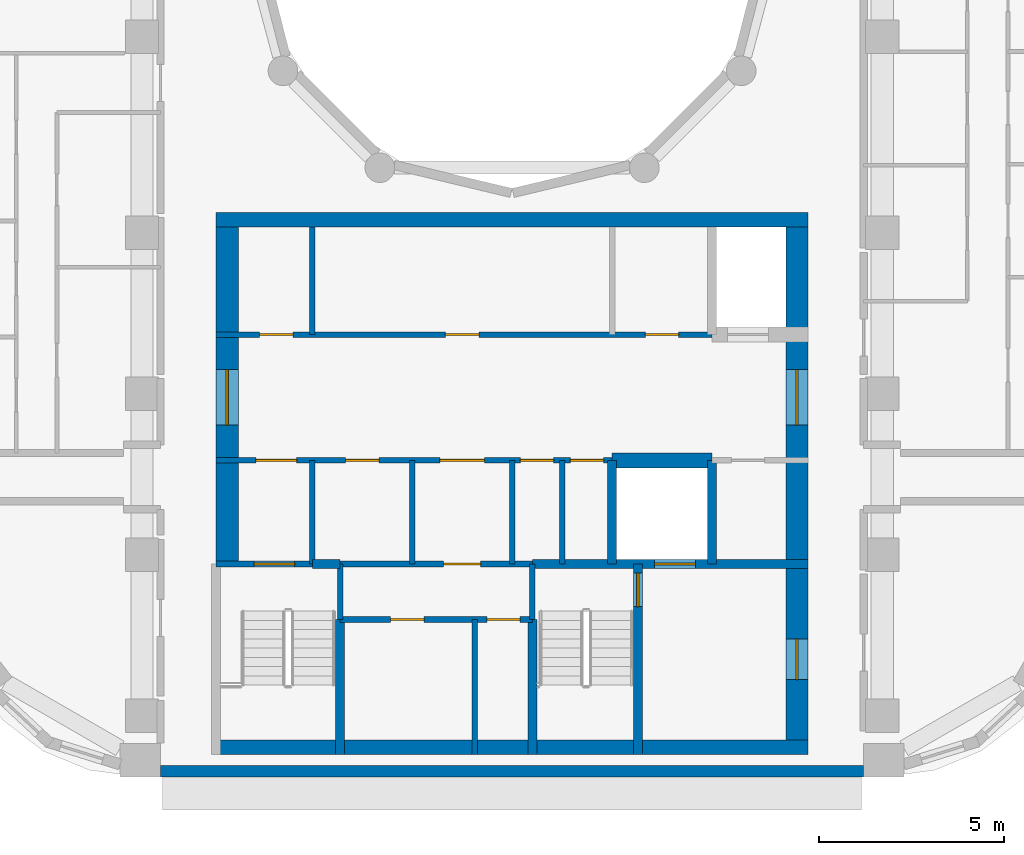
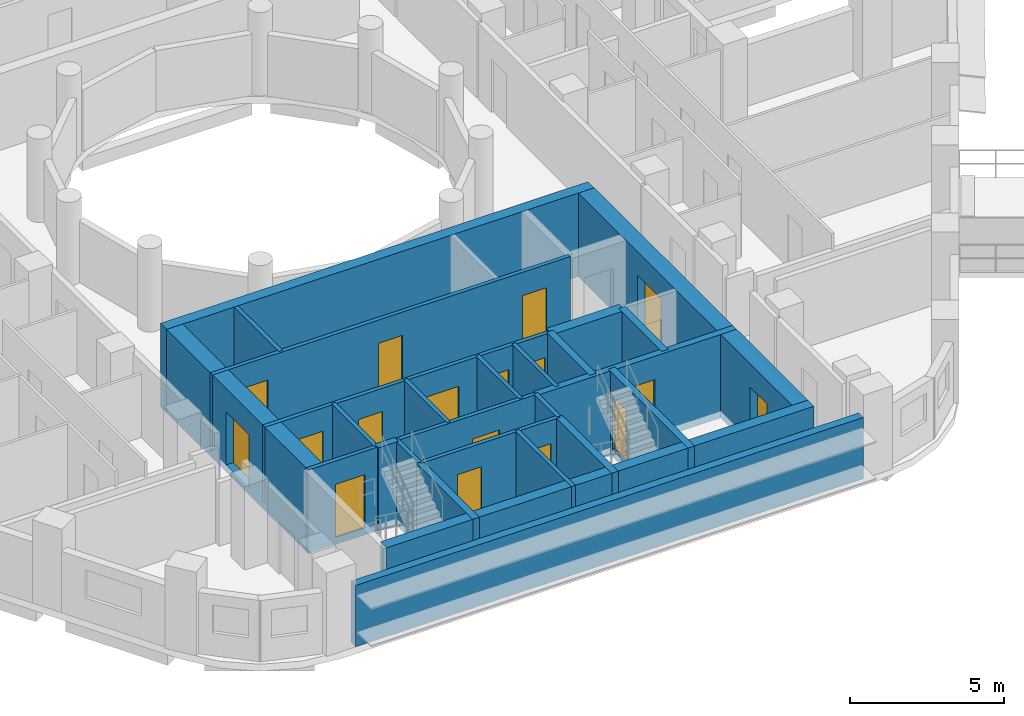
# One storey, part 3 of 12: 26 walls, 17 doors, 17 openings.
"""IFC4 building model written with IfcOpenShell, lengths in metres."""

from ifc_helpers import new_model, si_unit, direction, frame, frame_2d, origin, place, context, subcontext, project, spatial, rectangle, extrude, material, layer, layer_set, type_object, element, fill, save


model = new_model("IFC4")

# Units and contexts
model_context = context("Model", 3, precision=1e-05, world=origin(), true_north=direction((0.0, 1.0)))
body_context = subcontext(model_context, "Body", "Model", "MODEL_VIEW")
ifc_project = project(units=[si_unit("LENGTHUNIT", "METRE"), si_unit("AREAUNIT", "SQUARE_METRE"), si_unit("VOLUMEUNIT", "CUBIC_METRE"), si_unit("PLANEANGLEUNIT", "RADIAN"), si_unit("MASSUNIT", "GRAM", prefix="KILO")], contexts=[model_context])

# Site, building, storey
site_placement = place(None, origin())
site = spatial("IfcSite", under=ifc_project, at=site_placement, CompositionType="ELEMENT")
building_placement = place(site_placement, origin())
building = spatial("IfcBuilding", under=site, at=building_placement, Name="Nakaniwa Court", CompositionType="ELEMENT")
storey_placement = place(building_placement, frame((0.0, 0.0, 232.800048828125)))
storey = spatial("IfcBuildingStorey", under=building, at=storey_placement, Name="L60", CompositionType="ELEMENT", Elevation=232.800048828125)

# Walls
ifc_material_1 = material(Name="Charcoal ceramic cladding")
ifc_layer_1 = layer(ifc_material_1, 0.02, Name="Ceramic cladding")
ifc_material_2 = material(Name="Ventilated air cavity")
ifc_layer_2 = layer(ifc_material_2, 0.04, ventilated=True, Name="Ventilated cavity")
ifc_material_3 = material(Name="Mineral wool insulation")
ifc_layer_3 = layer(ifc_material_3, 0.1, Name="Insulation")
ifc_material_4 = material(Name="Cement bonded sheathing board")
ifc_layer_4 = layer(ifc_material_4, 0.012, Name="Sheathing")
ifc_material_5 = material(Name="Cold-formed galvanised stud frame with mineral wool infill")
ifc_layer_5 = layer(ifc_material_5, 0.1, Name="Stud frame")
ifc_material_6 = material(Name="Fire-rated gypsum plasterboard lining")
ifc_layer_6 = layer(ifc_material_6, 0.028, Name="Lining")
ifc_layer_set_1 = layer_set([ifc_layer_1, ifc_layer_2, ifc_layer_3, ifc_layer_4, ifc_layer_5, ifc_layer_6], Name="Charcoal ceramic faced external wall system")
wall_type_1 = type_object("IfcWallType", Name="Black ceramic faced external wall 300", PredefinedType="SOLIDWALL", material=ifc_layer_set_1)
wall_1_placement = place(storey_placement, frame((70.500732421875, 57.5, 0.0), z_axis=(0.0, 0.0, 1.0), x_axis=(1.0, 0.0, 0.0)))
element("IfcWall", 1, at=wall_1_placement, inside=storey, type_object=wall_type_1, Name="L60 external wall 26", PredefinedType="SOLIDWALL", context=body_context, shape_type="SweptSolid", body=[
    extrude(rectangle(XDim=18.99267578125, YDim=0.300048828125, at=frame_2d((9.496337890625, 0.0))), origin(), (0.0, 0.0, 1.0), 2.425048828125),
])
ifc_material_7 = material(Name="Blockwork partition", Category="masonry")
ifc_layer_7 = layer(ifc_material_7, 0.14990234375)
ifc_layer_set_2 = layer_set([ifc_layer_7], Name="Blockwork partition")
wall_type_2 = type_object("IfcWallType", Name="Blockwork partition 150", PredefinedType="PARTITIONING", material=ifc_layer_set_2)
wall_2_placement = place(storey_placement, frame((74.60009765625, 63.10009765625, 0.0), z_axis=(0.0, 0.0, 1.0), x_axis=(0.0, 1.0, 0.0)))
element("IfcWall", 2, at=wall_2_placement, inside=storey, type_object=wall_type_2, Name="Partition PW-029", PredefinedType="PARTITIONING", context=body_context, shape_type="SweptSolid", body=[
    extrude(rectangle(XDim=2.7998046875, YDim=0.14990234375, at=frame_2d((1.39990234375, 0.0))), origin(), (0.0, 0.0, 1.0), 3.02490234375),
])
wall_3_placement = place(storey_placement, frame((74.60009765625, 69.300048828125, 0.0), z_axis=(0.0, 0.0, 1.0), x_axis=(0.0, 1.0, 0.0)))
element("IfcWall", 3, at=wall_3_placement, inside=storey, type_object=wall_type_2, Name="Partition PW-030", PredefinedType="PARTITIONING", context=body_context, shape_type="SweptSolid", body=[
    extrude(rectangle(XDim=2.89990234375, YDim=0.14990234375, at=frame_2d((1.449951171875, 0.0))), origin(), (0.0, 0.0, 1.0), 3.02490234375),
])

# Wall, openings, doors
wall_4_placement = place(storey_placement, frame((72.0, 69.300048828125, 0.0), z_axis=(0.0, 0.0, 1.0), x_axis=(1.0, 0.0, 0.0)))
wall_4 = element("IfcWall", 4, at=wall_4_placement, inside=storey, type_object=wall_type_2, Name="Partition PW-031", PredefinedType="PARTITIONING", context=body_context, shape_type="SweptSolid", body=[
    extrude(rectangle(XDim=13.39990234375, YDim=0.14990234375, at=frame_2d((6.699951171875, 0.0))), origin(), (0.0, 0.0, 1.0), 3.02490234375),
])
opening_1_placement = place(wall_4_placement, frame((1.175048828125, 0.0, 0.0)))
opening_1 = element("IfcOpeningElement", 5, at=opening_1_placement, cuts=wall_4, Name="Opening D-05-10", PredefinedType="OPENING", context=body_context, shape_type="SweptSolid", body=[
    extrude(rectangle(XDim=0.89990234375, YDim=2.10009765625, at=frame_2d((0.449951171875, 1.050048828125))), frame((0.0, 0.0849609375, 0.0), z_axis=(0.0, -1.0, 0.0), x_axis=(1.0, 0.0, 0.0)), (0.0, 0.0, 1.0), 0.169921875),
])
opening_2_placement = place(wall_4_placement, frame((6.199951171875, 0.0, 0.0)))
opening_2 = element("IfcOpeningElement", 6, at=opening_2_placement, cuts=wall_4, Name="Opening D-05-11", PredefinedType="OPENING", context=body_context, shape_type="SweptSolid", body=[
    extrude(rectangle(XDim=0.89990234375, YDim=2.10009765625, at=frame_2d((0.449951171875, 1.050048828125))), frame((0.0, 0.0849609375, 0.0), z_axis=(0.0, -1.0, 0.0), x_axis=(1.0, 0.0, 0.0)), (0.0, 0.0, 1.0), 0.169921875),
])
opening_3_placement = place(wall_4_placement, frame((11.60009765625, 0.0, 0.0)))
opening_3 = element("IfcOpeningElement", 7, at=opening_3_placement, cuts=wall_4, Name="Opening D-05-12", PredefinedType="OPENING", context=body_context, shape_type="SweptSolid", body=[
    extrude(rectangle(XDim=0.89990234375, YDim=2.10009765625, at=frame_2d((0.449951171875, 1.050048828125))), frame((0.0, 0.0849609375, 0.0), z_axis=(0.0, -1.0, 0.0), x_axis=(1.0, 0.0, 0.0)), (0.0, 0.0, 1.0), 0.169921875),
])
ifc_material_8 = material(Name="Fire rated steel door set", Category="steel")
door_type_1 = type_object("IfcDoorType", Name="Service room door 900", OperationType="NOTDEFINED", PredefinedType="DOOR", material=ifc_material_8)
door_1_placement = place(opening_1_placement, origin())
door_1 = element("IfcDoor", 8, at=door_1_placement, inside=storey, type_object=door_type_1, Name="Door D-05-10 L60-015", OperationType="SINGLE_SWING_RIGHT", OverallHeight=2.10009765625, OverallWidth=0.89990234375, PredefinedType="DOOR", context=body_context, shape_type="SweptSolid", body=[
    extrude(rectangle(XDim=0.89990234375, YDim=2.10009765625, at=frame_2d((0.449951171875, 1.050048828125))), frame((0.0, 0.02490234375, 0.0), z_axis=(0.0, -1.0, 0.0), x_axis=(1.0, 0.0, 0.0)), (0.0, 0.0, 1.0), 0.050048828125),
])
fill(opening_1, door_1)
door_2_placement = place(opening_2_placement, origin())
door_2 = element("IfcDoor", 9, at=door_2_placement, inside=storey, type_object=door_type_1, Name="Door D-05-11 L60-016", OperationType="SINGLE_SWING_LEFT", OverallHeight=2.10009765625, OverallWidth=0.89990234375, PredefinedType="DOOR", context=body_context, shape_type="SweptSolid", body=[
    extrude(rectangle(XDim=0.89990234375, YDim=2.10009765625, at=frame_2d((0.449951171875, 1.050048828125))), frame((0.0, 0.02490234375, 0.0), z_axis=(0.0, -1.0, 0.0), x_axis=(1.0, 0.0, 0.0)), (0.0, 0.0, 1.0), 0.050048828125),
])
fill(opening_2, door_2)
door_3_placement = place(opening_3_placement, origin())
door_3 = element("IfcDoor", 10, at=door_3_placement, inside=storey, type_object=door_type_1, Name="Door D-05-12 L60-017", OperationType="SINGLE_SWING_RIGHT", OverallHeight=2.10009765625, OverallWidth=0.89990234375, PredefinedType="DOOR", context=body_context, shape_type="SweptSolid", body=[
    extrude(rectangle(XDim=0.89990234375, YDim=2.10009765625, at=frame_2d((0.449951171875, 1.050048828125))), frame((0.0, 0.02490234375, 0.0), z_axis=(0.0, -1.0, 0.0), x_axis=(1.0, 0.0, 0.0)), (0.0, 0.0, 1.0), 0.050048828125),
])
fill(opening_3, door_3)

wall_5_placement = place(storey_placement, frame((82.702880859375, 65.89990234375, 0.0), z_axis=(0.0, 0.0, 1.0), x_axis=(-1.0, 0.0, 0.0)))
wall_5 = element("IfcWall", 11, at=wall_5_placement, inside=storey, type_object=wall_type_2, Name="Partition PW-038", PredefinedType="PARTITIONING", context=body_context, shape_type="SweptSolid", body=[
    extrude(rectangle(XDim=10.702880859375, YDim=0.14990234375, at=frame_2d((5.3515625, 0.0))), origin(), (0.0, 0.0, 1.0), 3.02490234375),
])
opening_4_placement = place(wall_5_placement, frame((8.528076171875, 0.0, 0.0)))
opening_4 = element("IfcOpeningElement", 12, at=opening_4_placement, cuts=wall_5, Name="Opening D-08-02", PredefinedType="OPENING", context=body_context, shape_type="SweptSolid", body=[
    extrude(rectangle(XDim=1.10009765625, YDim=2.10009765625, at=frame_2d((0.550048828125, 1.050048828125))), frame((0.0, 0.0849609375, 0.0), z_axis=(0.0, -1.0, 0.0), x_axis=(1.0, 0.0, 0.0)), (0.0, 0.0, 1.0), 0.169921875),
])
opening_5_placement = place(wall_5_placement, frame((6.302978515625, 0.0, 0.0)))
opening_5 = element("IfcOpeningElement", 13, at=opening_5_placement, cuts=wall_5, Name="Opening D-05-13", PredefinedType="OPENING", context=body_context, shape_type="SweptSolid", body=[
    extrude(rectangle(XDim=0.89990234375, YDim=2.10009765625, at=frame_2d((0.449951171875, 1.050048828125))), frame((0.0, 0.0849609375, 0.0), z_axis=(0.0, -1.0, 0.0), x_axis=(1.0, 0.0, 0.0)), (0.0, 0.0, 1.0), 0.169921875),
])
opening_6_placement = place(wall_5_placement, frame((3.452880859375, 0.0, 0.0)))
opening_6 = element("IfcOpeningElement", 14, at=opening_6_placement, cuts=wall_5, Name="Opening D-06-02", PredefinedType="OPENING", context=body_context, shape_type="SweptSolid", body=[
    extrude(rectangle(XDim=1.199951171875, YDim=2.10009765625, at=frame_2d((0.60009765625, 1.050048828125))), frame((0.0, 0.0849609375, 0.0), z_axis=(0.0, -1.0, 0.0), x_axis=(1.0, 0.0, 0.0)), (0.0, 0.0, 1.0), 0.169921875),
])
opening_7_placement = place(wall_5_placement, frame((1.577880859375, 0.0, 0.0)))
opening_7 = element("IfcOpeningElement", 15, at=opening_7_placement, cuts=wall_5, Name="Opening D-05-14", PredefinedType="OPENING", context=body_context, shape_type="SweptSolid", body=[
    extrude(rectangle(XDim=0.89990234375, YDim=2.10009765625, at=frame_2d((0.449951171875, 1.050048828125))), frame((0.0, 0.0849609375, 0.0), z_axis=(0.0, -1.0, 0.0), x_axis=(1.0, 0.0, 0.0)), (0.0, 0.0, 1.0), 0.169921875),
])
opening_8_placement = place(wall_5_placement, frame((0.22802734375, 0.0, 0.0)))
opening_8 = element("IfcOpeningElement", 16, at=opening_8_placement, cuts=wall_5, Name="Opening D-05-15", PredefinedType="OPENING", context=body_context, shape_type="SweptSolid", body=[
    extrude(rectangle(XDim=0.89990234375, YDim=2.10009765625, at=frame_2d((0.449951171875, 1.050048828125))), frame((0.0, 0.0849609375, 0.0), z_axis=(0.0, -1.0, 0.0), x_axis=(1.0, 0.0, 0.0)), (0.0, 0.0, 1.0), 0.169921875),
])
ifc_material_9 = material(Name="Fire rated steel double door set", Category="steel")
door_type_2 = type_object("IfcDoorType", Name="Service passage double door 1200", OperationType="NOTDEFINED", PredefinedType="DOOR", material=ifc_material_9)
door_4_placement = place(opening_6_placement, origin())
door_4 = element("IfcDoor", 17, at=door_4_placement, inside=storey, type_object=door_type_2, Name="Door D-06-02 L60-020", OperationType="DOUBLE_DOOR_SINGLE_SWING", OverallHeight=2.10009765625, OverallWidth=1.199951171875, PredefinedType="DOOR", context=body_context, shape_type="SweptSolid", body=[
    extrude(rectangle(XDim=1.199951171875, YDim=2.10009765625, at=frame_2d((0.60009765625, 1.050048828125))), frame((0.0, 0.02490234375, 0.0), z_axis=(0.0, -1.0, 0.0), x_axis=(1.0, 0.0, 0.0)), (0.0, 0.0, 1.0), 0.050048828125),
])
fill(opening_6, door_4)
door_5_placement = place(opening_5_placement, origin())
door_5 = element("IfcDoor", 18, at=door_5_placement, inside=storey, type_object=door_type_1, Name="Door D-05-13 L60-019", OperationType="SINGLE_SWING_RIGHT", OverallHeight=2.10009765625, OverallWidth=0.89990234375, PredefinedType="DOOR", context=body_context, shape_type="SweptSolid", body=[
    extrude(rectangle(XDim=0.89990234375, YDim=2.10009765625, at=frame_2d((0.449951171875, 1.050048828125))), frame((0.0, 0.02490234375, 0.0), z_axis=(0.0, -1.0, 0.0), x_axis=(1.0, 0.0, 0.0)), (0.0, 0.0, 1.0), 0.050048828125),
])
fill(opening_5, door_5)
door_6_placement = place(opening_7_placement, origin())
door_6 = element("IfcDoor", 19, at=door_6_placement, inside=storey, type_object=door_type_1, Name="Door D-05-14 L60-021", OperationType="SINGLE_SWING_RIGHT", OverallHeight=2.10009765625, OverallWidth=0.89990234375, PredefinedType="DOOR", context=body_context, shape_type="SweptSolid", body=[
    extrude(rectangle(XDim=0.89990234375, YDim=2.10009765625, at=frame_2d((0.449951171875, 1.050048828125))), frame((0.0, 0.02490234375, 0.0), z_axis=(0.0, -1.0, 0.0), x_axis=(1.0, 0.0, 0.0)), (0.0, 0.0, 1.0), 0.050048828125),
])
fill(opening_7, door_6)
door_7_placement = place(opening_8_placement, origin())
door_7 = element("IfcDoor", 20, at=door_7_placement, inside=storey, type_object=door_type_1, Name="Door D-05-15 L60-022", OperationType="SINGLE_SWING_LEFT", OverallHeight=2.10009765625, OverallWidth=0.89990234375, PredefinedType="DOOR", context=body_context, shape_type="SweptSolid", body=[
    extrude(rectangle(XDim=0.89990234375, YDim=2.10009765625, at=frame_2d((0.449951171875, 1.050048828125))), frame((0.0, 0.02490234375, 0.0), z_axis=(0.0, -1.0, 0.0), x_axis=(1.0, 0.0, 0.0)), (0.0, 0.0, 1.0), 0.050048828125),
])
fill(opening_8, door_7)
door_type_3 = type_object("IfcDoorType", Name="Stair lobby door 1100", OperationType="NOTDEFINED", PredefinedType="DOOR", material=ifc_material_8)
door_8_placement = place(opening_4_placement, origin())
door_8 = element("IfcDoor", 21, at=door_8_placement, inside=storey, type_object=door_type_3, Name="Door D-08-02 L60-018", OperationType="SINGLE_SWING_LEFT", OverallHeight=2.10009765625, OverallWidth=1.10009765625, PredefinedType="DOOR", context=body_context, shape_type="SweptSolid", body=[
    extrude(rectangle(XDim=1.10009765625, YDim=2.10009765625, at=frame_2d((0.550048828125, 1.050048828125))), frame((0.0, 0.02490234375, 0.0), z_axis=(0.0, -1.0, 0.0), x_axis=(1.0, 0.0, 0.0)), (0.0, 0.0, 1.0), 0.050048828125),
])
fill(opening_4, door_8)

# Wall
wall_6_placement = place(storey_placement, frame((77.300048828125, 63.10009765625, 0.0), z_axis=(0.0, 0.0, 1.0), x_axis=(0.0, 1.0, 0.0)))
element("IfcWall", 22, at=wall_6_placement, inside=storey, type_object=wall_type_2, Name="Partition PW-042", PredefinedType="PARTITIONING", context=body_context, shape_type="SweptSolid", body=[
    extrude(rectangle(XDim=2.7998046875, YDim=0.14990234375, at=frame_2d((1.39990234375, 0.0))), origin(), (0.0, 0.0, 1.0), 3.02490234375),
])

# Wall, opening, door
wall_7_placement = place(storey_placement, frame((80.552978515625, 63.10009765625, 0.0), z_axis=(0.0, 0.0, 1.0), x_axis=(-1.0, 0.0, 0.0)))
wall_7 = element("IfcWall", 23, at=wall_7_placement, inside=storey, type_object=wall_type_2, Name="Partition PW-045", PredefinedType="PARTITIONING", context=body_context, shape_type="SweptSolid", body=[
    extrude(rectangle(XDim=5.2060546875, YDim=0.14990234375, at=frame_2d((2.60302734375, 0.0))), origin(), (0.0, 0.0, 1.0), 3.02490234375),
])
opening_9_placement = place(wall_7_placement, frame((1.403076171875, 0.0, 0.0)))
opening_9 = element("IfcOpeningElement", 24, at=opening_9_placement, cuts=wall_7, Name="Opening D-23-02", PredefinedType="OPENING", context=body_context, shape_type="SweptSolid", body=[
    extrude(rectangle(XDim=1.0, YDim=2.10009765625, at=frame_2d((0.5, 1.050048828125))), frame((0.0, 0.0849609375, 0.0), z_axis=(0.0, -1.0, 0.0), x_axis=(1.0, 0.0, 0.0)), (0.0, 0.0, 1.0), 0.169921875),
])
door_type_4 = type_object("IfcDoorType", Name="Service room door 1000", OperationType="NOTDEFINED", PredefinedType="DOOR", material=ifc_material_8)
door_9_placement = place(opening_9_placement, origin())
door_9 = element("IfcDoor", 25, at=door_9_placement, inside=storey, type_object=door_type_4, Name="Door D-23-02 L60-024", OperationType="SINGLE_SWING_LEFT", OverallHeight=2.10009765625, OverallWidth=1.0, PredefinedType="DOOR", context=body_context, shape_type="SweptSolid", body=[
    extrude(rectangle(XDim=1.0, YDim=2.10009765625, at=frame_2d((0.5, 1.050048828125))), frame((0.0, 0.02490234375, 0.0), z_axis=(0.0, -1.0, 0.0), x_axis=(1.0, 0.0, 0.0)), (0.0, 0.0, 1.0), 0.050048828125),
])
fill(opening_9, door_9)

# Walls
for number, where, z_axis, x_axis, name in (
    (26, (80.0, 63.10009765625, 0.0), (0.0, 0.0, 1.0), (0.0, 1.0, 0.0), "Partition PW-046"),
    (27, (81.35009765625, 63.10009765625, 0.0), (0.0, 0.0, 1.0), (0.0, 1.0, 0.0), "Partition PW-047"),
):
    element("IfcWall", number, at=place(storey_placement, frame(where, z_axis=z_axis, x_axis=x_axis)), inside=storey, type_object=wall_type_2, Name=name, PredefinedType="PARTITIONING", context=body_context, shape_type="SweptSolid", body=[
        extrude(rectangle(XDim=2.7998046875, YDim=0.14990234375, at=frame_2d((1.39990234375, 0.0))), origin(), (0.0, 0.0, 1.0), 3.02490234375),
    ])

# Wall, openings, doors
wall_8_placement = place(storey_placement, frame((80.550048828125, 61.60009765625, 0.0), z_axis=(0.0, 0.0, 1.0), x_axis=(-1.0, 0.0, 0.0)))
wall_8 = element("IfcWall", 28, at=wall_8_placement, inside=storey, type_object=wall_type_2, Name="Partition PW-055", PredefinedType="PARTITIONING", context=body_context, shape_type="SweptSolid", body=[
    extrude(rectangle(XDim=5.199951171875, YDim=0.14990234375, at=frame_2d((2.60009765625, 0.0))), origin(), (0.0, 0.0, 1.0), 3.02490234375),
])
opening_10_placement = place(wall_8_placement, frame((2.929931640625, 0.0, 0.0)))
opening_10 = element("IfcOpeningElement", 29, at=opening_10_placement, cuts=wall_8, Name="Opening D-05-17", PredefinedType="OPENING", context=body_context, shape_type="SweptSolid", body=[
    extrude(rectangle(XDim=0.89990234375, YDim=2.10009765625, at=frame_2d((0.449951171875, 1.050048828125))), frame((0.0, 0.0849609375, 0.0), z_axis=(0.0, -1.0, 0.0), x_axis=(1.0, 0.0, 0.0)), (0.0, 0.0, 1.0), 0.169921875),
])
opening_11_placement = place(wall_8_placement, frame((0.330078125, 0.0, 0.0)))
opening_11 = element("IfcOpeningElement", 30, at=opening_11_placement, cuts=wall_8, Name="Opening D-05-18", PredefinedType="OPENING", context=body_context, shape_type="SweptSolid", body=[
    extrude(rectangle(XDim=0.89990234375, YDim=2.10009765625, at=frame_2d((0.449951171875, 1.050048828125))), frame((0.0, 0.0849609375, 0.0), z_axis=(0.0, -1.0, 0.0), x_axis=(1.0, 0.0, 0.0)), (0.0, 0.0, 1.0), 0.169921875),
])
door_10_placement = place(opening_10_placement, origin())
door_10 = element("IfcDoor", 31, at=door_10_placement, inside=storey, type_object=door_type_1, Name="Door D-05-17 L60-025", OperationType="SINGLE_SWING_RIGHT", OverallHeight=2.10009765625, OverallWidth=0.89990234375, PredefinedType="DOOR", context=body_context, shape_type="SweptSolid", body=[
    extrude(rectangle(XDim=0.89990234375, YDim=2.10009765625, at=frame_2d((0.449951171875, 1.050048828125))), frame((0.0, 0.02490234375, 0.0), z_axis=(0.0, -1.0, 0.0), x_axis=(1.0, 0.0, 0.0)), (0.0, 0.0, 1.0), 0.050048828125),
])
fill(opening_10, door_10)
door_11_placement = place(opening_11_placement, origin())
door_11 = element("IfcDoor", 32, at=door_11_placement, inside=storey, type_object=door_type_1, Name="Door D-05-18 L60-026", OperationType="SINGLE_SWING_LEFT", OverallHeight=2.10009765625, OverallWidth=0.89990234375, PredefinedType="DOOR", context=body_context, shape_type="SweptSolid", body=[
    extrude(rectangle(XDim=0.89990234375, YDim=2.10009765625, at=frame_2d((0.449951171875, 1.050048828125))), frame((0.0, 0.02490234375, 0.0), z_axis=(0.0, -1.0, 0.0), x_axis=(1.0, 0.0, 0.0)), (0.0, 0.0, 1.0), 0.050048828125),
])
fill(opening_11, door_11)

# Wall
wall_9_placement = place(storey_placement, frame((78.989990234375, 57.949951171875, 0.0), z_axis=(0.0, 0.0, 1.0), x_axis=(0.0, 1.0, 0.0)))
element("IfcWall", 33, at=wall_9_placement, inside=storey, type_object=wall_type_2, Name="Partition PW-056", PredefinedType="PARTITIONING", context=body_context, shape_type="SweptSolid", body=[
    extrude(rectangle(XDim=3.650146484375, YDim=0.14990234375, at=frame_2d((1.8251953125, 0.0))), origin(), (0.0, 0.0, 1.0), 3.02490234375),
])

# Wall, opening, door
ifc_material_10 = material(Name="Concrete C80/100", Category="concrete")
ifc_layer_8 = layer(ifc_material_10, 0.60009765625)
ifc_layer_set_3 = layer_set([ifc_layer_8], Name="Concrete C80/100")
wall_type_3 = type_object("IfcWallType", Name="Concrete core side wall 600 C80", PredefinedType="SHEAR", material=ifc_layer_set_3)
wall_10_placement = place(storey_placement, frame((72.300048828125, 63.10009765625, -0.275146484375), z_axis=(0.0, 0.0, 1.0), x_axis=(0.0, 1.0, 0.0)))
wall_10 = element("IfcWall", 34, at=wall_10_placement, inside=storey, type_object=wall_type_3, Name="Core wall SW-32", PredefinedType="SHEAR", context=body_context, shape_type="SweptSolid", body=[
    extrude(rectangle(XDim=9.099853515625, YDim=0.60009765625, at=frame_2d((4.5498046875, 0.0))), origin(), (0.0, 0.0, 1.0), 3.300048828125),
])
opening_12_placement = place(wall_10_placement, frame((3.75, 0.0, 0.27490234375)))
opening_12 = element("IfcOpeningElement", 35, at=opening_12_placement, cuts=wall_10, Name="Opening D-07-04", PredefinedType="OPENING", context=body_context, shape_type="SweptSolid", body=[
    extrude(rectangle(XDim=1.5, YDim=2.10009765625, at=frame_2d((0.75, 1.050048828125))), frame((0.0, 0.31005859375, 0.0), z_axis=(0.0, -1.0, 0.0), x_axis=(1.0, 0.0, 0.0)), (0.0, 0.0, 1.0), 0.6201171875),
])
ifc_material_11 = material(Name="Glazed fire rated steel double door set", Category="steel")
door_type_5 = type_object("IfcDoorType", Name="Lobby double door 1500", OperationType="NOTDEFINED", PredefinedType="DOOR", material=ifc_material_11)
door_12_placement = place(opening_12_placement, origin())
door_12 = element("IfcDoor", 36, at=door_12_placement, inside=storey, type_object=door_type_5, Name="Door D-07-04 L60-066", OperationType="DOUBLE_DOOR_SINGLE_SWING", OverallHeight=2.10009765625, OverallWidth=1.5, PredefinedType="DOOR", context=body_context, shape_type="SweptSolid", body=[
    extrude(rectangle(XDim=1.5, YDim=2.10009765625, at=frame_2d((0.75, 1.050048828125))), frame((0.0, 0.02490234375, 0.0), z_axis=(0.0, -1.0, 0.0), x_axis=(1.0, 0.0, 0.0)), (0.0, 0.0, 1.0), 0.050048828125),
])
fill(opening_12, door_12)

# Wall, openings, doors
wall_11_placement = place(storey_placement, frame((87.699951171875, 72.199951171875, -0.275146484375), z_axis=(0.0, 0.0, 1.0), x_axis=(0.0, -1.0, 0.0)))
wall_11 = element("IfcWall", 37, at=wall_11_placement, inside=storey, type_object=wall_type_3, Name="Core wall SW-36", PredefinedType="SHEAR", context=body_context, shape_type="SweptSolid", body=[
    extrude(rectangle(XDim=14.25, YDim=0.60009765625, at=frame_2d((7.125, 0.0))), origin(), (0.0, 0.0, 1.0), 3.300048828125),
])
opening_13_placement = place(wall_11_placement, frame((3.85009765625, 0.0, 0.27490234375)))
opening_13 = element("IfcOpeningElement", 38, at=opening_13_placement, cuts=wall_11, Name="Opening D-07-03", PredefinedType="OPENING", context=body_context, shape_type="SweptSolid", body=[
    extrude(rectangle(XDim=1.5, YDim=2.10009765625, at=frame_2d((0.75, 1.050048828125))), frame((0.0, 0.31005859375, 0.0), z_axis=(0.0, -1.0, 0.0), x_axis=(1.0, 0.0, 0.0)), (0.0, 0.0, 1.0), 0.6201171875),
])
opening_14_placement = place(wall_11_placement, frame((11.125, 0.0, 0.27490234375)))
opening_14 = element("IfcOpeningElement", 39, at=opening_14_placement, cuts=wall_11, Name="Opening D-10-02", PredefinedType="OPENING", context=body_context, shape_type="SweptSolid", body=[
    extrude(rectangle(XDim=1.10009765625, YDim=2.10009765625, at=frame_2d((0.550048828125, 1.050048828125))), frame((0.0, 0.31005859375, 0.0), z_axis=(0.0, -1.0, 0.0), x_axis=(1.0, 0.0, 0.0)), (0.0, 0.0, 1.0), 0.6201171875),
])
door_type_6 = type_object("IfcDoorType", Name="Firefighting lobby door 1100", OperationType="NOTDEFINED", PredefinedType="DOOR", material=ifc_material_8)
door_13_placement = place(opening_14_placement, origin())
door_13 = element("IfcDoor", 40, at=door_13_placement, inside=storey, type_object=door_type_6, Name="Door D-10-02 L60-067", OperationType="SINGLE_SWING_RIGHT", OverallHeight=2.10009765625, OverallWidth=1.10009765625, PredefinedType="DOOR", context=body_context, shape_type="SweptSolid", body=[
    extrude(rectangle(XDim=1.10009765625, YDim=2.10009765625, at=frame_2d((0.550048828125, 1.050048828125))), frame((0.0, 0.02490234375, 0.0), z_axis=(0.0, -1.0, 0.0), x_axis=(1.0, 0.0, 0.0)), (0.0, 0.0, 1.0), 0.050048828125),
])
fill(opening_14, door_13)
door_14_placement = place(opening_13_placement, origin())
door_14 = element("IfcDoor", 41, at=door_14_placement, inside=storey, type_object=door_type_5, Name="Door D-07-03 L60-065", OperationType="DOUBLE_DOOR_SINGLE_SWING", OverallHeight=2.10009765625, OverallWidth=1.5, PredefinedType="DOOR", context=body_context, shape_type="SweptSolid", body=[
    extrude(rectangle(XDim=1.5, YDim=2.10009765625, at=frame_2d((0.75, 1.050048828125))), frame((0.0, 0.02490234375, 0.0), z_axis=(0.0, -1.0, 0.0), x_axis=(1.0, 0.0, 0.0)), (0.0, 0.0, 1.0), 0.050048828125),
])
fill(opening_13, door_14)

# Wall
ifc_layer_9 = layer(ifc_material_10, 0.39990234375)
ifc_layer_set_4 = layer_set([ifc_layer_9], Name="Concrete C80/100")
wall_type_4 = type_object("IfcWallType", Name="Concrete core spine wall 400 C80", PredefinedType="SHEAR", material=ifc_layer_set_4)
wall_12_placement = place(storey_placement, frame((82.697021484375, 65.89990234375, -0.275146484375), z_axis=(0.0, 0.0, 1.0), x_axis=(1.0, 0.0, 0.0)))
element("IfcWall", 42, at=wall_12_placement, inside=storey, type_object=wall_type_4, Name="Core wall SW-40", PredefinedType="SHEAR", context=body_context, shape_type="SweptSolid", body=[
    extrude(rectangle(XDim=2.7060546875, YDim=0.39990234375, at=frame_2d((1.35302734375, 0.0))), origin(), (0.0, 0.0, 1.0), 3.300048828125),
])

# Wall, opening, door
ifc_layer_10 = layer(ifc_material_10, 0.14990234375)
ifc_layer_set_5 = layer_set([ifc_layer_10], Name="Concrete C80/100")
wall_type_5 = type_object("IfcWallType", Name="Concrete core wall 150 C80", PredefinedType="SHEAR", material=ifc_layer_set_5)
wall_13_placement = place(storey_placement, frame((72.0, 63.10009765625, -0.275146484375), z_axis=(0.0, 0.0, 1.0), x_axis=(1.0, 0.0, 0.0)))
wall_13 = element("IfcWall", 43, at=wall_13_placement, inside=storey, type_object=wall_type_5, Name="Core wall SW-41", PredefinedType="SHEAR", context=body_context, shape_type="SweptSolid", body=[
    extrude(rectangle(XDim=2.60009765625, YDim=0.14990234375, at=frame_2d((1.300048828125, 0.0))), origin(), (0.0, 0.0, 1.0), 3.300048828125),
])
opening_15_placement = place(wall_13_placement, frame((1.02001953125, 0.0, 0.27490234375)))
opening_15 = element("IfcOpeningElement", 44, at=opening_15_placement, cuts=wall_13, Name="Opening D-09-02", PredefinedType="OPENING", context=body_context, shape_type="SweptSolid", body=[
    extrude(rectangle(XDim=1.10009765625, YDim=2.10009765625, at=frame_2d((0.550048828125, 1.050048828125))), frame((0.0, 0.0849609375, 0.0), z_axis=(0.0, -1.0, 0.0), x_axis=(1.0, 0.0, 0.0)), (0.0, 0.0, 1.0), 0.169921875),
])
door_type_7 = type_object("IfcDoorType", Name="Stair door 1100", OperationType="NOTDEFINED", PredefinedType="DOOR", material=ifc_material_8)
door_15_placement = place(opening_15_placement, origin())
door_15 = element("IfcDoor", 45, at=door_15_placement, inside=storey, type_object=door_type_7, Name="Door D-09-02 L60-027", OperationType="SINGLE_SWING_LEFT", OverallHeight=2.10009765625, OverallWidth=1.10009765625, PredefinedType="DOOR", context=body_context, shape_type="SweptSolid", body=[
    extrude(rectangle(XDim=1.10009765625, YDim=2.10009765625, at=frame_2d((0.550048828125, 1.050048828125))), frame((0.0, 0.02490234375, 0.0), z_axis=(0.0, -1.0, 0.0), x_axis=(1.0, 0.0, 0.0)), (0.0, 0.0, 1.0), 0.050048828125),
])
fill(opening_15, door_15)

# Walls
for number, where, z_axis, x_axis, name in (
    (46, (75.35009765625, 61.596923828125, -0.275146484375), (0.0, 0.0, 1.0), (0.0, 1.0, 0.0), "Core wall SW-49"),
    (47, (80.550048828125, 61.596923828125, -0.275146484375), (0.0, 0.0, 1.0), (0.0, 1.0, 0.0), "Core wall SW-53"),
):
    element("IfcWall", number, at=place(storey_placement, frame(where, z_axis=z_axis, x_axis=x_axis)), inside=storey, type_object=wall_type_5, Name=name, PredefinedType="SHEAR", context=body_context, shape_type="SweptSolid", body=[
        extrude(rectangle(XDim=1.503173828125, YDim=0.14990234375, at=frame_2d((0.75146484375, 0.0))), origin(), (0.0, 0.0, 1.0), 3.300048828125),
    ])
ifc_layer_11 = layer(ifc_material_10, 0.39990234375)
ifc_layer_set_6 = layer_set([ifc_layer_11], Name="Concrete C80/100")
wall_type_6 = type_object("IfcWallType", Name="Concrete core wall 400 C80", PredefinedType="SHEAR", material=ifc_layer_set_6)
wall_14_placement = place(storey_placement, frame((72.00390625, 58.14990234375, -0.275146484375), z_axis=(0.0, 0.0, 1.0), x_axis=(1.0, 0.0, 0.0)))
element("IfcWall", 48, at=wall_14_placement, inside=storey, type_object=wall_type_6, Name="Core wall SW-123", PredefinedType="SHEAR", context=body_context, shape_type="SweptSolid", body=[
    extrude(rectangle(XDim=15.9921875, YDim=0.39990234375, at=frame_2d((7.99609375, 0.0))), origin(), (0.0, 0.0, 1.0), 3.300048828125),
])
ifc_layer_12 = layer(ifc_material_10, 0.39990234375)
ifc_layer_set_7 = layer_set([ifc_layer_12], Name="Concrete C80/100")
wall_type_7 = type_object("IfcWallType", Name="Concrete core well wall 400 C80", PredefinedType="SHEAR", material=ifc_layer_set_7)
wall_15_placement = place(storey_placement, frame((72.00390625, 72.39990234375, -0.275146484375), z_axis=(0.0, 0.0, 1.0), x_axis=(1.0, 0.0, 0.0)))
element("IfcWall", 49, at=wall_15_placement, inside=storey, type_object=wall_type_7, Name="Core wall SW-122", PredefinedType="SHEAR", context=body_context, shape_type="SweptSolid", body=[
    extrude(rectangle(XDim=15.9921875, YDim=0.39990234375, at=frame_2d((7.99609375, 0.0))), origin(), (0.0, 0.0, 1.0), 3.300048828125),
])
ifc_layer_13 = layer(ifc_material_10, 0.25)
ifc_layer_set_8 = layer_set([ifc_layer_13], Name="Concrete C80/100")
wall_type_8 = type_object("IfcWallType", Name="Concrete shaft wall 250 C80", PredefinedType="SHEAR", material=ifc_layer_set_8)
wall_16_placement = place(storey_placement, frame((85.39990234375, 63.10009765625, -0.275146484375), z_axis=(0.0, 0.0, 1.0), x_axis=(0.0, 1.0, 0.0)))
element("IfcWall", 50, at=wall_16_placement, inside=storey, type_object=wall_type_8, Name="Core wall SW-33", PredefinedType="SHEAR", context=body_context, shape_type="SweptSolid", body=[
    extrude(rectangle(XDim=2.7998046875, YDim=0.25, at=frame_2d((1.39990234375, 0.0))), origin(), (0.0, 0.0, 1.0), 3.300048828125),
])
wall_17_placement = place(storey_placement, frame((74.60009765625, 63.10009765625, -0.275146484375), z_axis=(0.0, 0.0, 1.0), x_axis=(1.0, 0.0, 0.0)))
element("IfcWall", 51, at=wall_17_placement, inside=storey, type_object=wall_type_8, Name="Core wall SW-43", PredefinedType="SHEAR", context=body_context, shape_type="SweptSolid", body=[
    extrude(rectangle(XDim=0.7529296875, YDim=0.25, at=frame_2d((0.37646484375, 0.0))), origin(), (0.0, 0.0, 1.0), 3.300048828125),
])

# Wall, opening, door
wall_18_placement = place(storey_placement, frame((80.547119140625, 63.10009765625, -0.275146484375), z_axis=(0.0, 0.0, 1.0), x_axis=(1.0, 0.0, 0.0)))
wall_18 = element("IfcWall", 52, at=wall_18_placement, inside=storey, type_object=wall_type_8, Name="Core wall SW-44", PredefinedType="SHEAR", context=body_context, shape_type="SweptSolid", body=[
    extrude(rectangle(XDim=7.452880859375, YDim=0.25, at=frame_2d((3.7265625, 0.0))), origin(), (0.0, 0.0, 1.0), 3.300048828125),
])
opening_16_placement = place(wall_18_placement, frame((3.302001953125, 0.0, 0.27490234375)))
opening_16 = element("IfcOpeningElement", 53, at=opening_16_placement, cuts=wall_18, Name="Opening LD04", PredefinedType="OPENING", context=body_context, shape_type="SweptSolid", body=[
    extrude(rectangle(XDim=1.10009765625, YDim=2.10009765625, at=frame_2d((0.550048828125, 1.050048828125))), frame((0.0, 0.135009765625, 0.0), z_axis=(0.0, -1.0, 0.0), x_axis=(1.0, 0.0, 0.0)), (0.0, 0.0, 1.0), 0.27001953125),
])
ifc_material_12 = material(Name="Stainless steel sliding lift landing door", Category="steel")
door_type_8 = type_object("IfcDoorType", Name="Lift landing door 1100", OperationType="NOTDEFINED", PredefinedType="DOOR", material=ifc_material_12)
door_16_placement = place(opening_16_placement, origin())
door_16 = element("IfcDoor", 54, at=door_16_placement, inside=storey, type_object=door_type_8, Name="Lift landing door LD04 L60-004", OperationType="SLIDING_TO_LEFT", OverallHeight=2.10009765625, OverallWidth=1.10009765625, PredefinedType="DOOR", context=body_context, shape_type="SweptSolid", body=[
    extrude(rectangle(XDim=1.10009765625, YDim=2.10009765625, at=frame_2d((0.550048828125, 1.050048828125))), frame((0.0, 0.02490234375, 0.0), z_axis=(0.0, -1.0, 0.0), x_axis=(1.0, 0.0, 0.0)), (0.0, 0.0, 1.0), 0.050048828125),
])
fill(opening_16, door_16)

# Walls
wall_19_placement = place(storey_placement, frame((82.699951171875, 63.10009765625, -0.275146484375), z_axis=(0.0, 0.0, 1.0), x_axis=(0.0, 1.0, 0.0)))
element("IfcWall", 55, at=wall_19_placement, inside=storey, type_object=wall_type_8, Name="Core wall SW-48", PredefinedType="SHEAR", context=body_context, shape_type="SweptSolid", body=[
    extrude(rectangle(XDim=2.7998046875, YDim=0.25, at=frame_2d((1.39990234375, 0.0))), origin(), (0.0, 0.0, 1.0), 3.300048828125),
])
wall_20_placement = place(storey_placement, frame((75.35009765625, 57.949951171875, -0.275146484375), z_axis=(0.0, 0.0, 1.0), x_axis=(0.0, 1.0, 0.0)))
element("IfcWall", 56, at=wall_20_placement, inside=storey, type_object=wall_type_8, Name="Core wall SW-50", PredefinedType="SHEAR", context=body_context, shape_type="SweptSolid", body=[
    extrude(rectangle(XDim=3.653076171875, YDim=0.25, at=frame_2d((1.82666015625, 0.0))), origin(), (0.0, 0.0, 1.0), 3.300048828125),
])

# Wall, opening, door
wall_21_placement = place(storey_placement, frame((83.39990234375, 63.10009765625, -0.275146484375), z_axis=(0.0, 0.0, 1.0), x_axis=(0.0, -1.0, 0.0)))
wall_21 = element("IfcWall", 57, at=wall_21_placement, inside=storey, type_object=wall_type_8, Name="Core wall SW-52", PredefinedType="SHEAR", context=body_context, shape_type="SweptSolid", body=[
    extrude(rectangle(XDim=5.150146484375, YDim=0.25, at=frame_2d((2.5751953125, 0.0))), origin(), (0.0, 0.0, 1.0), 3.300048828125),
])
opening_17_placement = place(wall_21_placement, frame((0.25, 0.0, 0.27490234375)))
opening_17 = element("IfcOpeningElement", 58, at=opening_17_placement, cuts=wall_21, Name="Opening D-11-02", PredefinedType="OPENING", context=body_context, shape_type="SweptSolid", body=[
    extrude(rectangle(XDim=0.89990234375, YDim=2.10009765625, at=frame_2d((0.449951171875, 1.050048828125))), frame((0.0, 0.135009765625, 0.0), z_axis=(0.0, -1.0, 0.0), x_axis=(1.0, 0.0, 0.0)), (0.0, 0.0, 1.0), 0.27001953125),
])
door_type_9 = type_object("IfcDoorType", Name="Stair door 900", OperationType="NOTDEFINED", PredefinedType="DOOR", material=ifc_material_8)
door_17_placement = place(opening_17_placement, origin())
door_17 = element("IfcDoor", 59, at=door_17_placement, inside=storey, type_object=door_type_9, Name="Door D-11-02 L60-028", OperationType="SINGLE_SWING_RIGHT", OverallHeight=2.10009765625, OverallWidth=0.89990234375, PredefinedType="DOOR", context=body_context, shape_type="SweptSolid", body=[
    extrude(rectangle(XDim=0.89990234375, YDim=2.10009765625, at=frame_2d((0.449951171875, 1.050048828125))), frame((0.0, 0.02490234375, 0.0), z_axis=(0.0, -1.0, 0.0), x_axis=(1.0, 0.0, 0.0)), (0.0, 0.0, 1.0), 0.050048828125),
])
fill(opening_17, door_17)

# Wall
wall_22_placement = place(storey_placement, frame((80.550048828125, 57.949951171875, -0.275146484375), z_axis=(0.0, 0.0, 1.0), x_axis=(0.0, 1.0, 0.0)))
element("IfcWall", 60, at=wall_22_placement, inside=storey, type_object=wall_type_8, Name="Core wall SW-54", PredefinedType="SHEAR", context=body_context, shape_type="SweptSolid", body=[
    extrude(rectangle(XDim=3.653076171875, YDim=0.25, at=frame_2d((1.82666015625, 0.0))), origin(), (0.0, 0.0, 1.0), 3.300048828125),
])

save(model, "model.ifc")
